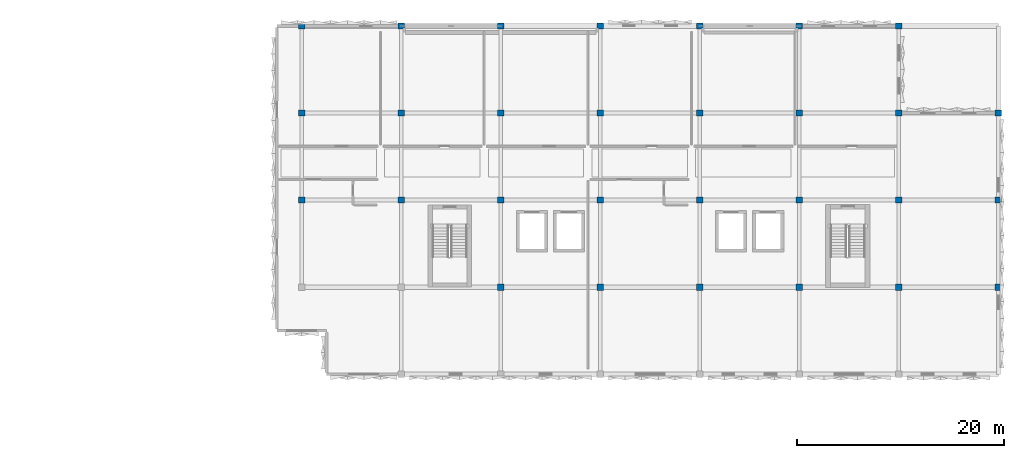
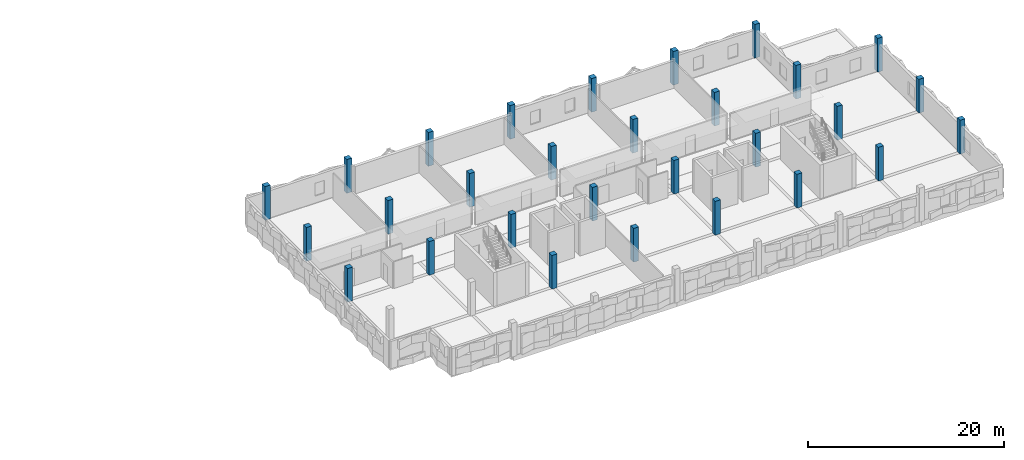
# One storey, part 2 of 18: 29 columns.
"""IFC4 building model written with IfcOpenShell, lengths in metres."""

import ifcopenshell
import ifcopenshell.guid

model = None  # the IFC model being written
_history = None  # IfcOwnerHistory: only IFC2X3 demands one
_inside = {}  # id of a spatial element -> (the spatial element, [elements in it])
_under = {}  # id of a project, library or spatial element -> (it, [spatial elements below it])
_declared = {}  # id of a project -> (the project, [libraries it declares])
_typed = {}  # id of a type object -> (the type object, [elements of that type])
_made_of = {}  # id of a material, layer set ... -> (it, [elements and type objects made of it])


def new_model(schema):
    """Start an empty IFC model of exactly this schema.

    Asked for "IFC4X3", IfcOpenShell would pick the latest addendum, in which some entities
    have other attributes; the version numbers below select the first issue.
    IFC2X3 requires an IfcOwnerHistory on every rooted entity: one is made here for all.
    """
    global model, _history
    if schema == "IFC4X3":
        model = ifcopenshell.file(schema_version=(4, 3, 0, 0))
    else:
        model = ifcopenshell.file(schema=schema)
    _inside.clear()
    _under.clear()
    _declared.clear()
    _typed.clear()
    _made_of.clear()
    _history = None
    if model.schema == "IFC2X3":
        org = make("IfcOrganization", Name="unknown")
        user = make(
            "IfcPersonAndOrganization",
            ThePerson=make("IfcPerson", FamilyName="unknown"),
            TheOrganization=org,
        )
        app = make(
            "IfcApplication",
            ApplicationDeveloper=org,
            Version="unknown",
            ApplicationFullName="unknown",
            ApplicationIdentifier="unknown",
        )
        _history = make(
            "IfcOwnerHistory",
            OwningUser=user,
            OwningApplication=app,
            ChangeAction="ADDED",
            CreationDate=0,
        )
    return model


def make(cls, **values):
    """One entity of the class cls with the attributes given. An attribute that is None is left unset."""
    return model.create_entity(
        cls, **{name: value for name, value in values.items() if value is not None}
    )


def rooted(cls, **values):
    """An entity with a GlobalId (a new one), such as an element, a storey or a relation."""
    return make(cls, GlobalId=ifcopenshell.guid.new(), OwnerHistory=_history, **values)


def si_unit(unit_type, name, prefix=None):
    """IfcSIUnit, for example si_unit("LENGTHUNIT", "METRE", prefix="MILLI")."""
    return make("IfcSIUnit", UnitType=unit_type, Prefix=prefix, Name=name)


def assignment(units):
    """IfcUnitAssignment: the units of a project."""
    return None if units is None else make("IfcUnitAssignment", Units=units)


def point(xyz):
    """IfcCartesianPoint."""
    return None if xyz is None else make("IfcCartesianPoint", Coordinates=xyz)


def direction(xyz):
    """IfcDirection."""
    return None if xyz is None else make("IfcDirection", DirectionRatios=xyz)


def frame(location, z_axis=None, x_axis=None):
    """IfcAxis2Placement3D, a coordinate frame: its origin and axes. An axis left out is left unset."""
    return make(
        "IfcAxis2Placement3D",
        Location=point(location),
        Axis=direction(z_axis),
        RefDirection=direction(x_axis),
    )


def frame_2d(location, x_axis=None):
    """IfcAxis2Placement2D, a coordinate frame in the plane: its origin and x axis."""
    return make(
        "IfcAxis2Placement2D", Location=point(location), RefDirection=direction(x_axis)
    )


def origin():
    """The frame at (0, 0, 0) with its axes left unset."""
    return frame((0.0, 0.0, 0.0))


def origin_2d():
    """The frame at (0, 0) in the plane with its x axis left unset."""
    return frame_2d((0.0, 0.0))


def place(relative_to, where):
    """IfcLocalPlacement: puts the frame where relative to a parent placement (None: the world)."""
    return make(
        "IfcLocalPlacement", PlacementRelTo=relative_to, RelativePlacement=where
    )


def context(
    kind, dimensions, precision=None, world=None, true_north=None, identifier=None
):
    """IfcGeometricRepresentationContext, for example the 3D "Model" context."""
    return make(
        "IfcGeometricRepresentationContext",
        ContextIdentifier=identifier,
        ContextType=kind,
        CoordinateSpaceDimension=dimensions,
        Precision=precision,
        WorldCoordinateSystem=world,
        TrueNorth=true_north,
    )


def subcontext(parent, identifier, kind, view, scale=None):
    """IfcGeometricRepresentationSubContext, for example "Body" below "Model"."""
    return make(
        "IfcGeometricRepresentationSubContext",
        ContextIdentifier=identifier,
        ContextType=kind,
        ParentContext=parent,
        TargetScale=scale,
        TargetView=view,
    )


def project(units=None, contexts=None):
    """IfcProject with its units and contexts."""
    return rooted(
        "IfcProject",
        Name="project",
        RepresentationContexts=contexts,
        UnitsInContext=assignment(units),
    )


def spatial(cls, under=None, at=None, **own):
    """A site, building, storey or space (cls), placed at a placement, below another one or the project."""
    s = rooted(cls, ObjectPlacement=at, **own)
    if under is not None:
        _under.setdefault(under.id(), (under, []))[1].append(s)
    return s


def profile(cls, at=None, kind="AREA", **sizes):
    """A parametric profile (cls). Its sizes go by their IFC names, for example OverallWidth=200.0."""
    return make(cls, ProfileType=kind, Position=at, **sizes)


def rectangle(**sizes):
    """IfcRectangleProfileDef."""
    return profile("IfcRectangleProfileDef", **sizes)


def extrude(swept, where, along, depth):
    """IfcExtrudedAreaSolid: the profile swept, set in the frame where, extruded along a direction by depth."""
    return make(
        "IfcExtrudedAreaSolid",
        SweptArea=swept,
        Position=where,
        ExtrudedDirection=direction(along),
        Depth=depth,
    )


def shape(context_of_items, identifier, shape_type, items):
    """IfcShapeRepresentation: the items that make up one representation, for example the "Body"."""
    return make(
        "IfcShapeRepresentation",
        ContextOfItems=context_of_items,
        RepresentationIdentifier=identifier,
        RepresentationType=shape_type,
        Items=items,
    )


def material(Name=None, Category=None):
    """IfcMaterial."""
    return make("IfcMaterial", Name=Name, Category=Category)


def material_profile(
    of_material, cross_section, Name=None, Category=None, Priority=None
):
    """IfcMaterialProfile: a cross section and its material."""
    return make(
        "IfcMaterialProfile",
        Name=Name,
        Material=of_material,
        Profile=cross_section,
        Priority=Priority,
        Category=Category,
    )


def profile_set(profiles, Name=None, composite=None):
    """IfcMaterialProfileSet."""
    return make(
        "IfcMaterialProfileSet",
        Name=Name,
        MaterialProfiles=profiles,
        CompositeProfile=composite,
    )


def made_of(thing, what):
    """Note that an element or type object is made of a material, layer set ...; save() writes the relation."""
    if what is not None:
        _made_of.setdefault(what.id(), (what, []))[1].append(thing)
    return thing


def type_object(cls, material=None, **own):
    """A type object (cls), such as IfcWallType, which elements share."""
    return made_of(rooted(cls, **own), material)


def element(
    cls,
    number,
    at=None,
    inside=None,
    cuts=None,
    type_object=None,
    material=None,
    context=None,
    identifier="Body",
    shape_type=None,
    held_by="IfcProductDefinitionShape",
    body=None,
    shapes=None,
    **own,
):
    """One element of the class cls, such as IfcWall. Its Tag is "e" and its number.

    at: its placement. inside: the storey or other place that contains it. cuts: it is an
    opening in that element (IfcRelVoidsElement). A single representation is given by context,
    identifier, shape_type and body (its items); several are given by shapes. held_by: the class
    of the entity that holds the representations. save() writes the other relations.
    """
    e = rooted(cls, Tag="e%d" % number, ObjectPlacement=at, **own)
    if body is not None:
        shapes = [shape(context, identifier, shape_type, body)]
    if shapes is not None:
        e.Representation = make(held_by, Representations=shapes)
    if inside is not None:
        _inside.setdefault(inside.id(), (inside, []))[1].append(e)
    if cuts is not None:
        rooted(
            "IfcRelVoidsElement", RelatingBuildingElement=cuts, RelatedOpeningElement=e
        )
    if type_object is not None:
        _typed.setdefault(type_object.id(), (type_object, []))[1].append(e)
    return made_of(e, material)


def aggregate(whole, parts):
    """IfcRelAggregates: a whole, such as a stair, and the parts it consists of."""
    return rooted("IfcRelAggregates", RelatingObject=whole, RelatedObjects=parts)


def save(model, path):
    """Write the relations noted so far, then the file.

    IfcRelAggregates (storeys below a building ...), IfcRelContainedInSpatialStructure (elements
    in a storey), IfcRelDefinesByType, IfcRelAssociatesMaterial and IfcRelDeclares: one each for
    every whole, place, type object, material and project.
    """
    for whole, parts in _under.values():
        aggregate(whole, parts)
    for where, things in _inside.values():
        rooted(
            "IfcRelContainedInSpatialStructure",
            RelatedElements=things,
            RelatingStructure=where,
        )
    for kind, things in _typed.values():
        rooted("IfcRelDefinesByType", RelatedObjects=things, RelatingType=kind)
    for what, things in _made_of.values():
        rooted("IfcRelAssociatesMaterial", RelatedObjects=things, RelatingMaterial=what)
    for by, libraries in _declared.values():
        rooted("IfcRelDeclares", RelatingContext=by, RelatedDefinitions=libraries)
    model.write(path)


model = new_model("IFC4")

# Units and contexts
model_context = context("Model", 3, precision=1e-05, world=origin(), true_north=direction((0.0, 1.0)))
body_context = subcontext(model_context, "Body", "Model", "MODEL_VIEW")
ifc_project = project(units=[si_unit("LENGTHUNIT", "METRE"), si_unit("AREAUNIT", "SQUARE_METRE"), si_unit("VOLUMEUNIT", "CUBIC_METRE"), si_unit("PLANEANGLEUNIT", "RADIAN"), si_unit("MASSUNIT", "GRAM", prefix="KILO")], contexts=[model_context])

# Site, building, storey
site_placement = place(None, origin())
site = spatial("IfcSite", under=ifc_project, at=site_placement, CompositionType="ELEMENT")
building_placement = place(site_placement, origin())
building = spatial("IfcBuilding", under=site, at=building_placement, Name="Oolite Switchyard Hospital", CompositionType="ELEMENT")
storey_placement = place(building_placement, frame((0.0, 0.0, 26.199951171875)))
storey = spatial("IfcBuildingStorey", under=building, at=storey_placement, Name="L06", CompositionType="ELEMENT", Elevation=26.199951171875)

# Columns
ifc_material = material(Name="Concrete C50/60", Category="concrete")
ifc_material_profile = material_profile(ifc_material, rectangle(XDim=0.60009765625, YDim=0.60009765625, at=origin_2d()), Name="RC600X600")
ifc_profile_set = profile_set([ifc_material_profile], Name="Concrete C50/60")
column_type = type_object("IfcColumnType", Name="COL-RC600", PredefinedType="COLUMN", material=ifc_profile_set)
for number, where, z_axis, x_axis, name in (
    (1, (144.0, 117.60009765625, 0.0), (0.0, 0.0, 1.0), (1.0, 0.0, 0.0), "L06 Column 1356"),
    (2, (144.0, 126.0, 0.0), (0.0, 0.0, 1.0), (1.0, 0.0, 0.0), "L06 Column 1357"),
    (3, (144.0, 134.39990234375, 0.0), (0.0, 0.0, 1.0), (1.0, 0.0, 0.0), "L06 Column 1358"),
    (4, (153.60009765625, 117.60009765625, 0.0), (0.0, 0.0, 1.0), (1.0, 0.0, 0.0), "L06 Column 1361"),
    (5, (153.60009765625, 126.0, 0.0), (0.0, 0.0, 1.0), (1.0, 0.0, 0.0), "L06 Column 1362"),
    (6, (153.60009765625, 134.39990234375, 0.0), (0.0, 0.0, 1.0), (1.0, 0.0, 0.0), "L06 Column 1363"),
    (7, (163.199951171875, 109.199951171875, 0.0), (0.0, 0.0, 1.0), (1.0, 0.0, 0.0), "L06 Column 1365"),
    (8, (163.199951171875, 117.60009765625, 0.0), (0.0, 0.0, 1.0), (1.0, 0.0, 0.0), "L06 Column 1366"),
    (9, (163.199951171875, 126.0, 0.0), (0.0, 0.0, 1.0), (1.0, 0.0, 0.0), "L06 Column 1367"),
    (10, (163.199951171875, 134.39990234375, 0.0), (0.0, 0.0, 1.0), (1.0, 0.0, 0.0), "L06 Column 1368"),
    (11, (172.800048828125, 109.199951171875, 0.0), (0.0, 0.0, 1.0), (1.0, 0.0, 0.0), "L06 Column 1370"),
    (12, (172.800048828125, 117.60009765625, 0.0), (0.0, 0.0, 1.0), (1.0, 0.0, 0.0), "L06 Column 1371"),
    (13, (172.800048828125, 126.0, 0.0), (0.0, 0.0, 1.0), (1.0, 0.0, 0.0), "L06 Column 1372"),
    (14, (172.800048828125, 134.39990234375, 0.0), (0.0, 0.0, 1.0), (1.0, 0.0, 0.0), "L06 Column 1373"),
    (15, (182.39990234375, 109.199951171875, 0.0), (0.0, 0.0, 1.0), (1.0, 0.0, 0.0), "L06 Column 1375"),
    (16, (182.39990234375, 117.60009765625, 0.0), (0.0, 0.0, 1.0), (1.0, 0.0, 0.0), "L06 Column 1376"),
    (17, (182.39990234375, 126.0, 0.0), (0.0, 0.0, 1.0), (1.0, 0.0, 0.0), "L06 Column 1377"),
    (18, (182.39990234375, 134.39990234375, 0.0), (0.0, 0.0, 1.0), (1.0, 0.0, 0.0), "L06 Column 1378"),
    (19, (192.0, 109.199951171875, 0.0), (0.0, 0.0, 1.0), (1.0, 0.0, 0.0), "L06 Column 1380"),
    (20, (192.0, 117.60009765625, 0.0), (0.0, 0.0, 1.0), (1.0, 0.0, 0.0), "L06 Column 1381"),
    (21, (192.0, 126.0, 0.0), (0.0, 0.0, 1.0), (1.0, 0.0, 0.0), "L06 Column 1382"),
    (22, (192.0, 134.39990234375, 0.0), (0.0, 0.0, 1.0), (1.0, 0.0, 0.0), "L06 Column 1383"),
    (23, (201.60009765625, 109.199951171875, 0.0), (0.0, 0.0, 1.0), (1.0, 0.0, 0.0), "L06 Column 1385"),
    (24, (201.60009765625, 117.60009765625, 0.0), (0.0, 0.0, 1.0), (1.0, 0.0, 0.0), "L06 Column 1386"),
    (25, (201.60009765625, 126.0, 0.0), (0.0, 0.0, 1.0), (1.0, 0.0, 0.0), "L06 Column 1387"),
    (26, (201.60009765625, 134.39990234375, 0.0), (0.0, 0.0, 1.0), (1.0, 0.0, 0.0), "L06 Column 1388"),
    (27, (211.199951171875, 109.199951171875, 0.0), (0.0, 0.0, 1.0), (1.0, 0.0, 0.0), "L06 Column 1389"),
    (28, (211.199951171875, 117.60009765625, 0.0), (0.0, 0.0, 1.0), (1.0, 0.0, 0.0), "L06 Column 1390"),
    (29, (211.199951171875, 126.0, 0.0), (0.0, 0.0, 1.0), (1.0, 0.0, 0.0), "L06 Column 1391"),
):
    element("IfcColumn", number, at=place(storey_placement, frame(where, z_axis=z_axis, x_axis=x_axis)), inside=storey, type_object=column_type, Name=name, PredefinedType="COLUMN", context=body_context, shape_type="SweptSolid", body=[
        extrude(rectangle(XDim=0.60009765625, YDim=0.60009765625, at=origin_2d()), origin(), (0.0, 0.0, 1.0), 4.199951171875),
    ])

save(model, "model.ifc")
